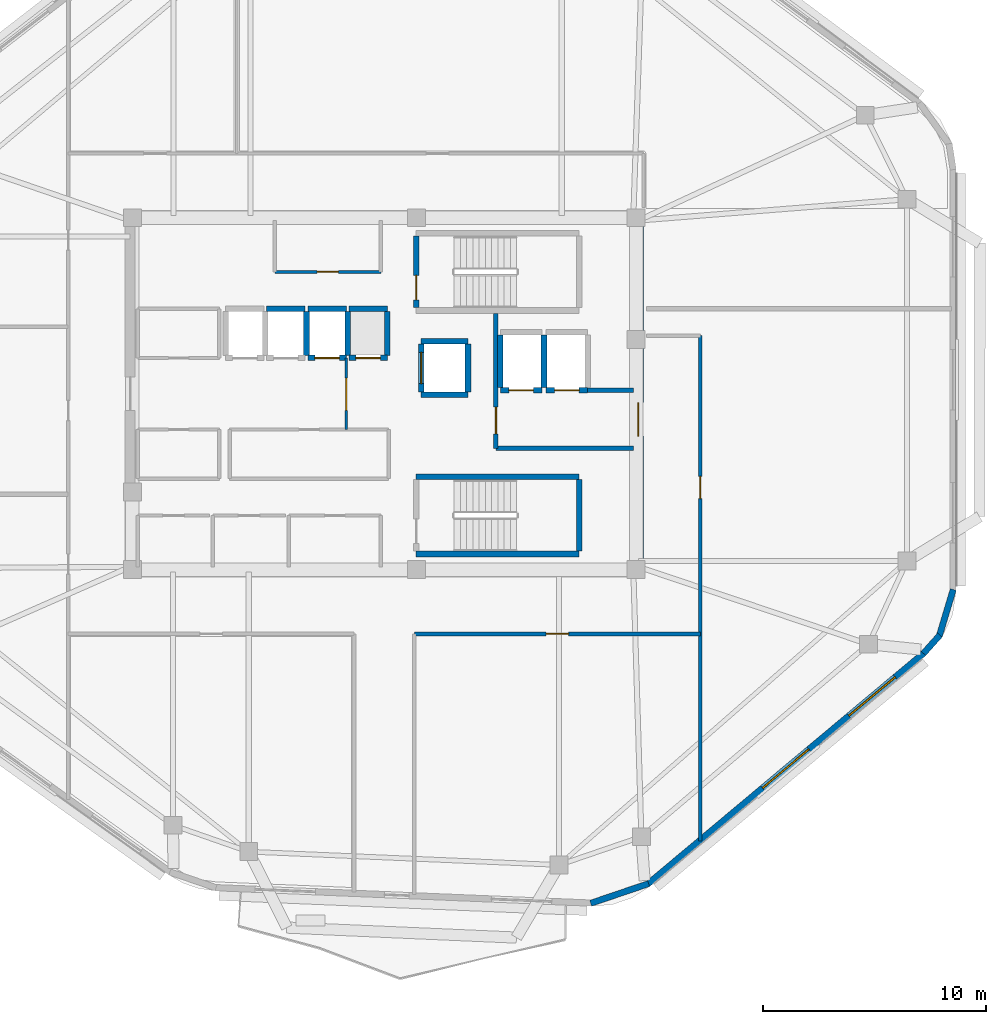
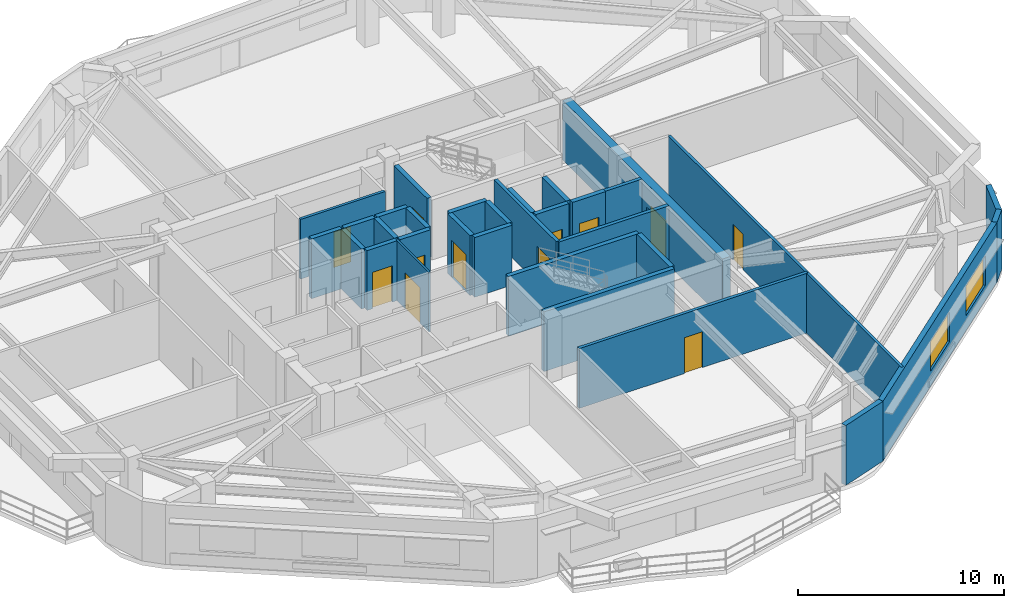
# One storey, part 4 of 10: 32 walls, 12 doors, 2 windows, 14 openings.
"""IFC4 building model written with IfcOpenShell, lengths in metres."""

from ifc_helpers import new_model, si_unit, direction, frame, frame_2d, origin, place, context, subcontext, project, spatial, rectangle, extrude, material, layer, layer_set, type_object, element, fill, save


model = new_model("IFC4")

# Units and contexts
model_context = context("Model", 3, precision=1e-05, world=origin(), true_north=direction((0.0, 1.0)))
body_context = subcontext(model_context, "Body", "Model", "MODEL_VIEW")
ifc_project = project(units=[si_unit("LENGTHUNIT", "METRE"), si_unit("AREAUNIT", "SQUARE_METRE"), si_unit("VOLUMEUNIT", "CUBIC_METRE"), si_unit("PLANEANGLEUNIT", "RADIAN"), si_unit("MASSUNIT", "GRAM", prefix="KILO")], contexts=[model_context])

# Site, building, storey
site_placement = place(None, origin())
site = spatial("IfcSite", under=ifc_project, at=site_placement, CompositionType="ELEMENT")
building_placement = place(site_placement, origin())
building = spatial("IfcBuilding", under=site, at=building_placement, Name="Zulverin Broadcast Headquarters", CompositionType="ELEMENT")
storey_placement = place(building_placement, frame((0.0, 0.0, 282.0)))
storey = spatial("IfcBuildingStorey", under=building, at=storey_placement, Name="L72", CompositionType="ELEMENT", Elevation=282.0)

# Wall, opening, door
ifc_material_1 = material(Name="Concrete C50/60", Category="concrete")
ifc_layer_1 = layer(ifc_material_1, 0.449951171875, Name="Concrete C50/60", Category="concrete")
ifc_layer_set_1 = layer_set([ifc_layer_1], Name="Concrete C50/60")
wall_type_1 = type_object("IfcWallType", Name="WL-CORE-450", PredefinedType="SHEAR", material=ifc_layer_set_1)
wall_1_placement = place(storey_placement, frame((48.375, 17.449951171875, 0.0), z_axis=(0.0, 0.0, 1.0), x_axis=(0.0, 1.0, 0.0)))
wall_1 = element("IfcWall", 1, at=wall_1_placement, inside=storey, type_object=wall_type_1, Name="L72 Core East Shear Wall", PredefinedType="SHEAR", context=body_context, shape_type="SweptSolid", body=[
    extrude(rectangle(XDim=15.5, YDim=0.449951171875, at=frame_2d((7.75, 0.0))), origin(), (0.0, 0.0, 1.0), 3.5400390625),
])
opening_1_placement = place(wall_1_placement, frame((5.85009765625, 0.0, 0.0)))
opening_1 = element("IfcOpeningElement", 2, at=opening_1_placement, cuts=wall_1, Name="Opening D-L72-CE1", PredefinedType="OPENING", context=body_context, shape_type="SweptSolid", body=[
    extrude(rectangle(XDim=1.5, YDim=2.14990234375, at=frame_2d((0.75, 1.074951171875))), frame((0.0, 0.23486328125, 0.0), z_axis=(0.0, -1.0, 0.0), x_axis=(1.0, 0.0, 0.0)), (0.0, 0.0, 1.0), 0.469970703125),
])
ifc_material_2 = material(Name="Fire-rated glazed steel frame", Category="steel")
door_type_1 = type_object("IfcDoorType", Name="DR-COR-1500", OperationType="DOUBLE_DOOR_SINGLE_SWING", PredefinedType="DOOR", material=ifc_material_2)
door_1_placement = place(opening_1_placement, origin())
door_1 = element("IfcDoor", 3, at=door_1_placement, inside=storey, type_object=door_type_1, Name="L72 Firefighting Lobby East Corridor Door", OperationType="DOUBLE_DOOR_SINGLE_SWING", OverallHeight=2.14990234375, OverallWidth=1.5, PredefinedType="DOOR", context=body_context, shape_type="SweptSolid", body=[
    extrude(rectangle(XDim=1.5, YDim=2.14990234375, at=frame_2d((0.75, 1.074951171875))), frame((0.0, 0.02490234375, 0.0), z_axis=(0.0, -1.0, 0.0), x_axis=(1.0, 0.0, 0.0)), (0.0, 0.0, 1.0), 0.050048828125),
])
fill(opening_1, door_1)

# Wall, openings, windows
ifc_material_3 = material(Name="Insulated pale-metal clad concrete spandrel C40/50", Category="concrete")
ifc_layer_2 = layer(ifc_material_3, 0.280029296875, Name="Insulated pale-metal clad concrete spandrel C40/50", Category="concrete")
ifc_layer_set_2 = layer_set([ifc_layer_2], Name="Insulated pale-metal clad concrete spandrel C40/50")
wall_type_2 = type_object("IfcWallType", Name="WL-EXT-280", PredefinedType="STANDARD", material=ifc_layer_set_2)
wall_2_placement = place(storey_placement, frame((48.788818359375, 3.249755859375, 0.0), z_axis=(0.0, 0.0, 1.0), x_axis=(0.767032672101, 0.641608042288, 0.0)))
wall_2 = element("IfcWall", 4, at=wall_2_placement, inside=storey, type_object=wall_type_2, Name="L72 Pale-Metal Clad Spandrel Wall 2", PredefinedType="STANDARD", context=body_context, shape_type="SweptSolid", body=[
    extrude(rectangle(XDim=16.11328125, YDim=0.280029296875, at=frame_2d((8.056640625, 0.0))), origin(), (0.0, 0.0, 1.0), 3.5400390625),
])
opening_2_placement = place(wall_2_placement, frame((6.706787109375, 0.0, 0.89990234375)))
opening_2 = element("IfcOpeningElement", 5, at=opening_2_placement, cuts=wall_2, Name="Opening W-L72-E21", PredefinedType="OPENING", context=body_context, shape_type="SweptSolid", body=[
    extrude(rectangle(XDim=2.699951171875, YDim=1.75, at=frame_2d((1.35009765625, 0.875))), frame((0.0, 0.14990234375, 0.0), z_axis=(0.0, -1.0, 0.0), x_axis=(1.0, 0.0, 0.0)), (0.0, 0.0, 1.0), 0.300048828125),
])
opening_3_placement = place(wall_2_placement, frame((11.744384765625, 0.0, 0.89990234375)))
opening_3 = element("IfcOpeningElement", 6, at=opening_3_placement, cuts=wall_2, Name="Opening W-L72-E22", PredefinedType="OPENING", context=body_context, shape_type="SweptSolid", body=[
    extrude(rectangle(XDim=2.699951171875, YDim=1.75, at=frame_2d((1.35009765625, 0.875))), frame((0.0, 0.14990234375, 0.0), z_axis=(0.0, -1.0, 0.0), x_axis=(1.0, 0.0, 0.0)), (0.0, 0.0, 1.0), 0.300048828125),
])
ifc_material_4 = material(Name="Pale anodized aluminium frame with solar-control low-E double glazing", Category="aluminium")
window_type = type_object("IfcWindowType", Name="WIN-TWR-2700", PartitioningType="SINGLE_PANEL", PredefinedType="WINDOW", material=ifc_material_4)
window_1_placement = place(opening_2_placement, origin())
window_1 = element("IfcWindow", 7, at=window_1_placement, inside=storey, type_object=window_type, Name="L72 Ribbon Glazing Window 2 1", OverallHeight=1.75, OverallWidth=2.699951171875, PartitioningType="SINGLE_PANEL", PredefinedType="WINDOW", context=body_context, shape_type="SweptSolid", body=[
    extrude(rectangle(XDim=2.699951171875, YDim=1.75, at=frame_2d((1.35009765625, 0.875))), frame((0.0, 0.030029296875, 0.0), z_axis=(0.0, -1.0, 0.0), x_axis=(1.0, 0.0, 0.0)), (0.0, 0.0, 1.0), 0.06005859375),
])
fill(opening_2, window_1)
window_2_placement = place(opening_3_placement, origin())
window_2 = element("IfcWindow", 8, at=window_2_placement, inside=storey, type_object=window_type, Name="L72 Ribbon Glazing Window 2 2", OverallHeight=1.75, OverallWidth=2.699951171875, PartitioningType="SINGLE_PANEL", PredefinedType="WINDOW", context=body_context, shape_type="SweptSolid", body=[
    extrude(rectangle(XDim=2.699951171875, YDim=1.75, at=frame_2d((1.35009765625, 0.875))), frame((0.0, 0.030029296875, 0.0), z_axis=(0.0, -1.0, 0.0), x_axis=(1.0, 0.0, 0.0)), (0.0, 0.0, 1.0), 0.06005859375),
])
fill(opening_3, window_2)

# Walls
wall_3_placement = place(storey_placement, frame((46.239501953125, 2.392822265625, 0.0), z_axis=(0.0, 0.0, 1.0), x_axis=(0.946759165502, 0.321942669643, 0.0)))
element("IfcWall", 9, at=wall_3_placement, inside=storey, type_object=wall_type_2, Name="L72 Wind-Shaped Corner Spandrel Wall 1-1", PredefinedType="STANDARD", context=body_context, shape_type="SweptSolid", body=[
    extrude(rectangle(XDim=2.73974609375, YDim=0.280029296875, at=frame_2d((1.369873046875, 0.0))), origin(), (0.0, 0.0, 1.0), 3.5400390625),
])
wall_4_placement = place(storey_placement, frame((61.133544921875, 13.573974609375, 0.0), z_axis=(0.0, 0.0, 1.0), x_axis=(0.665804679247, 0.74612608123, 0.0)))
element("IfcWall", 10, at=wall_4_placement, inside=storey, type_object=wall_type_2, Name="L72 Wind-Shaped Corner Spandrel Wall 2-1", PredefinedType="STANDARD", context=body_context, shape_type="SweptSolid", body=[
    extrude(rectangle(XDim=1.103271484375, YDim=0.280029296875, at=frame_2d((0.5517578125, 0.0))), origin(), (0.0, 0.0, 1.0), 3.5400390625),
])
wall_5_placement = place(storey_placement, frame((61.838623046875, 14.34423828125, 0.0), z_axis=(0.0, 0.0, 1.0), x_axis=(0.287235049694, 0.957860128739, 0.0)))
element("IfcWall", 11, at=wall_5_placement, inside=storey, type_object=wall_type_2, Name="L72 Wind-Shaped Corner Spandrel Wall 2-2", PredefinedType="STANDARD", context=body_context, shape_type="SweptSolid", body=[
    extrude(rectangle(XDim=2.18359375, YDim=0.280029296875, at=frame_2d((1.091796875, 0.0))), origin(), (0.0, 0.0, 1.0), 3.5400390625),
])

# Wall, opening, door
ifc_material_5 = material(Name="Concrete C40/50", Category="concrete")
ifc_layer_3 = layer(ifc_material_5, 0.199951171875, Name="Concrete C40/50", Category="concrete")
ifc_layer_set_3 = layer_set([ifc_layer_3], Name="Concrete C40/50")
wall_type_3 = type_object("IfcWallType", Name="WL-FFL-200", PredefinedType="SOLIDWALL", material=ifc_layer_set_3)
wall_6_placement = place(storey_placement, frame((42.0, 22.75, 0.0), z_axis=(0.0, 0.0, 1.0), x_axis=(0.0, 1.0, 0.0)))
wall_6 = element("IfcWall", 12, at=wall_6_placement, inside=storey, type_object=wall_type_3, Name="L72 Firefighting Lift Lobby West Wall", PredefinedType="SOLIDWALL", context=body_context, shape_type="SweptSolid", body=[
    extrude(rectangle(XDim=6.050048828125, YDim=0.199951171875, at=frame_2d((3.02490234375, 0.0))), origin(), (0.0, 0.0, 1.0), 3.5400390625),
])
opening_4_placement = place(wall_6_placement, frame((0.64990234375, 0.0, 0.0)))
opening_4 = element("IfcOpeningElement", 13, at=opening_4_placement, cuts=wall_6, Name="Opening D-L72-FFLW", PredefinedType="OPENING", context=body_context, shape_type="SweptSolid", body=[
    extrude(rectangle(XDim=1.199951171875, YDim=2.14990234375, at=frame_2d((0.60009765625, 1.074951171875))), frame((0.0, 0.10986328125, 0.0), z_axis=(0.0, -1.0, 0.0), x_axis=(1.0, 0.0, 0.0)), (0.0, 0.0, 1.0), 0.219970703125),
])
ifc_material_6 = material(Name="Fire-rated steel leaf and frame", Category="steel")
door_type_2 = type_object("IfcDoorType", Name="DR-FFL-1200", OperationType="SINGLE_SWING_RIGHT", PredefinedType="DOOR", material=ifc_material_6)
door_2_placement = place(opening_4_placement, origin())
door_2 = element("IfcDoor", 14, at=door_2_placement, inside=storey, type_object=door_type_2, Name="L72 Firefighting Lift Lobby Door", OperationType="SINGLE_SWING_RIGHT", OverallHeight=2.14990234375, OverallWidth=1.199951171875, PredefinedType="DOOR", context=body_context, shape_type="SweptSolid", body=[
    extrude(rectangle(XDim=1.199951171875, YDim=2.14990234375, at=frame_2d((0.60009765625, 1.074951171875))), frame((0.0, 0.02490234375, 0.0), z_axis=(0.0, -1.0, 0.0), x_axis=(1.0, 0.0, 0.0)), (0.0, 0.0, 1.0), 0.050048828125),
])
fill(opening_4, door_2)

# Walls
wall_7_placement = place(storey_placement, frame((42.0, 22.75, 0.0), z_axis=(0.0, 0.0, 1.0), x_axis=(1.0, 0.0, 0.0)))
element("IfcWall", 15, at=wall_7_placement, inside=storey, type_object=wall_type_3, Name="L72 Firefighting Lift Lobby South Wall", PredefinedType="SOLIDWALL", context=body_context, shape_type="SweptSolid", body=[
    extrude(rectangle(XDim=6.14990234375, YDim=0.199951171875, at=frame_2d((3.074951171875, 0.0))), origin(), (0.0, 0.0, 1.0), 3.5400390625),
])
wall_8_placement = place(storey_placement, frame((46.10009765625, 25.35009765625, 0.0), z_axis=(0.0, 0.0, 1.0), x_axis=(1.0, 0.0, 0.0)))
element("IfcWall", 16, at=wall_8_placement, inside=storey, type_object=wall_type_3, Name="L72 Firefighting Lift Lobby North Wall", PredefinedType="SOLIDWALL", context=body_context, shape_type="SweptSolid", body=[
    extrude(rectangle(XDim=2.0498046875, YDim=0.199951171875, at=frame_2d((1.02490234375, 0.0))), origin(), (0.0, 0.0, 1.0), 3.5400390625),
])

# Wall, opening, door
ifc_material_7 = material(Name="Fire-rated acoustic laminated glass screen", Category="glass")
ifc_layer_4 = layer(ifc_material_7, 0.10009765625, Name="Fire-rated acoustic laminated glass screen", Category="glass")
ifc_layer_set_4 = layer_set([ifc_layer_4], Name="Fire-rated acoustic laminated glass screen")
wall_type_4 = type_object("IfcWallType", Name="WL-GLAZ-100", PredefinedType="PARTITIONING", material=ifc_layer_set_4)
wall_9_placement = place(storey_placement, frame((35.300048828125, 23.60009765625, 0.0), z_axis=(0.0, 0.0, 1.0), x_axis=(0.0, 1.0, 0.0)))
wall_9 = element("IfcWall", 17, at=wall_9_placement, inside=storey, type_object=wall_type_4, Name="L72 Central Core Smoke Vestibule Screen", PredefinedType="PARTITIONING", context=body_context, shape_type="SweptSolid", body=[
    extrude(rectangle(XDim=3.199951171875, YDim=0.10009765625, at=frame_2d((1.60009765625, 0.0))), origin(), (0.0, 0.0, 1.0), 3.5400390625),
])
opening_5_placement = place(wall_9_placement, frame((0.85009765625, 0.0, 0.0)))
opening_5 = element("IfcOpeningElement", 18, at=opening_5_placement, cuts=wall_9, Name="Opening D-L72-CL2", PredefinedType="OPENING", context=body_context, shape_type="SweptSolid", body=[
    extrude(rectangle(XDim=1.449951171875, YDim=2.1201171875, at=frame_2d((0.72509765625, 1.06005859375))), frame((0.0, 0.06005859375, 0.0), z_axis=(0.0, -1.0, 0.0), x_axis=(1.0, 0.0, 0.0)), (0.0, 0.0, 1.0), 0.1201171875),
])
ifc_material_8 = material(Name="Fire-rated acoustic glazed double leaf", Category="glass")
door_type_3 = type_object("IfcDoorType", Name="DR-GLZ-1450", OperationType="DOUBLE_DOOR_SINGLE_SWING", PredefinedType="DOOR", material=ifc_material_8)
door_3_placement = place(opening_5_placement, origin())
door_3 = element("IfcDoor", 19, at=door_3_placement, inside=storey, type_object=door_type_3, Name="L72 Central Core Smoke Vestibule Door", OperationType="DOUBLE_DOOR_SINGLE_SWING", OverallHeight=2.1201171875, OverallWidth=1.449951171875, PredefinedType="DOOR", context=body_context, shape_type="SweptSolid", body=[
    extrude(rectangle(XDim=1.449951171875, YDim=2.1201171875, at=frame_2d((0.72509765625, 1.06005859375))), frame((0.0, 0.02490234375, 0.0), z_axis=(0.0, -1.0, 0.0), x_axis=(1.0, 0.0, 0.0)), (0.0, 0.0, 1.0), 0.050048828125),
])
fill(opening_5, door_3)

ifc_material_9 = material(Name="Fire-rated gypsum stud partition", Category="gypsum")
ifc_layer_5 = layer(ifc_material_9, 0.14990234375, Name="Fire-rated gypsum stud partition", Category="gypsum")
ifc_layer_set_5 = layer_set([ifc_layer_5], Name="Fire-rated gypsum stud partition")
wall_type_5 = type_object("IfcWallType", Name="WL-PART-150", PredefinedType="PARTITIONING", material=ifc_layer_set_5)
wall_10_placement = place(storey_placement, frame((32.10009765625, 30.64990234375, 0.0), z_axis=(0.0, 0.0, 1.0), x_axis=(1.0, 0.0, 0.0)))
wall_10 = element("IfcWall", 20, at=wall_10_placement, inside=storey, type_object=wall_type_5, Name="L72 Core Accessible WC & Electrical Riser Front Wall", PredefinedType="PARTITIONING", context=body_context, shape_type="SweptSolid", body=[
    extrude(rectangle(XDim=4.75, YDim=0.14990234375, at=frame_2d((2.375, 0.0))), origin(), (0.0, 0.0, 1.0), 3.5400390625),
])
opening_6_placement = place(wall_10_placement, frame((1.89990234375, 0.0, 0.0)))
opening_6 = element("IfcOpeningElement", 21, at=opening_6_placement, cuts=wall_10, Name="Opening D-L72-NC1", PredefinedType="OPENING", context=body_context, shape_type="SweptSolid", body=[
    extrude(rectangle(XDim=0.949951171875, YDim=2.10009765625, at=frame_2d((0.47509765625, 1.050048828125))), frame((0.0, 0.0849609375, 0.0), z_axis=(0.0, -1.0, 0.0), x_axis=(1.0, 0.0, 0.0)), (0.0, 0.0, 1.0), 0.169921875),
])
ifc_material_10 = material(Name="Fire-rated moisture-resistant laminate leaf", Category="wood")
door_type_4 = type_object("IfcDoorType", Name="DR-WC-950", OperationType="SINGLE_SWING_LEFT", PredefinedType="DOOR", material=ifc_material_10)
door_4_placement = place(opening_6_placement, origin())
door_4 = element("IfcDoor", 22, at=door_4_placement, inside=storey, type_object=door_type_4, Name="L72 Accessible WC & Electrical Riser Door", OperationType="SINGLE_SWING_LEFT", OverallHeight=2.10009765625, OverallWidth=0.949951171875, PredefinedType="DOOR", context=body_context, shape_type="SweptSolid", body=[
    extrude(rectangle(XDim=0.949951171875, YDim=2.10009765625, at=frame_2d((0.47509765625, 1.050048828125))), frame((0.0, 0.02490234375, 0.0), z_axis=(0.0, -1.0, 0.0), x_axis=(1.0, 0.0, 0.0)), (0.0, 0.0, 1.0), 0.050048828125),
])
fill(opening_6, door_4)

wall_11_placement = place(storey_placement, frame((51.14990234375, 5.182373046875, 0.0), z_axis=(0.0, 0.0, 1.0), x_axis=(0.0, 1.0, 0.0)))
wall_11 = element("IfcWall", 23, at=wall_11_placement, inside=storey, type_object=wall_type_5, Name="L72 Gallery Partition Wall CG-01", PredefinedType="PARTITIONING", context=body_context, shape_type="SweptSolid", body=[
    extrude(rectangle(XDim=22.61767578125, YDim=0.14990234375, at=frame_2d((11.308837890625, 0.0))), origin(), (0.0, 0.0, 1.0), 3.5400390625),
])
opening_7_placement = place(wall_11_placement, frame((15.322509765625, 0.0, 0.0)))
opening_7 = element("IfcOpeningElement", 24, at=opening_7_placement, cuts=wall_11, Name="Opening D-L72-08", PredefinedType="OPENING", context=body_context, shape_type="SweptSolid", body=[
    extrude(rectangle(XDim=1.0, YDim=2.1201171875, at=frame_2d((0.5, 1.06005859375))), frame((0.0, 0.0849609375, 0.0), z_axis=(0.0, -1.0, 0.0), x_axis=(1.0, 0.0, 0.0)), (0.0, 0.0, 1.0), 0.169921875),
])
ifc_material_11 = material(Name="Hardwood veneer acoustic leaf", Category="wood")
door_type_5 = type_object("IfcDoorType", Name="DR-OFF-1000", OperationType="SINGLE_SWING_LEFT", PredefinedType="DOOR", material=ifc_material_11)
door_5_placement = place(opening_7_placement, origin())
door_5 = element("IfcDoor", 25, at=door_5_placement, inside=storey, type_object=door_type_5, Name="L72 Executive Producer Office Door", OperationType="SINGLE_SWING_RIGHT", OverallHeight=2.1201171875, OverallWidth=1.0, PredefinedType="DOOR", context=body_context, shape_type="SweptSolid", body=[
    extrude(rectangle(XDim=1.0, YDim=2.1201171875, at=frame_2d((0.5, 1.06005859375))), frame((0.0, 0.02490234375, 0.0), z_axis=(0.0, -1.0, 0.0), x_axis=(1.0, 0.0, 0.0)), (0.0, 0.0, 1.0), 0.050048828125),
])
fill(opening_7, door_5)

ifc_material_12 = material(Name="Fire-rated acoustic stud wall", Category="gypsum")
ifc_layer_6 = layer(ifc_material_12, 0.175048828125, Name="Fire-rated acoustic stud wall", Category="gypsum")
ifc_layer_set_6 = layer_set([ifc_layer_6], Name="Fire-rated acoustic stud wall")
wall_type_6 = type_object("IfcWallType", Name="WL-PART-175", PredefinedType="PARTITIONING", material=ifc_layer_set_6)
wall_12_placement = place(storey_placement, frame((38.35009765625, 14.449951171875, 0.0), z_axis=(0.0, 0.0, 1.0), x_axis=(1.0, 0.0, 0.0)))
wall_12 = element("IfcWall", 26, at=wall_12_placement, inside=storey, type_object=wall_type_6, Name="L72 Gallery Partition Wall CG-08", PredefinedType="PARTITIONING", context=body_context, shape_type="SweptSolid", body=[
    extrude(rectangle(XDim=12.7998046875, YDim=0.175048828125, at=frame_2d((6.39990234375, 0.0))), origin(), (0.0, 0.0, 1.0), 3.5400390625),
])
opening_8_placement = place(wall_12_placement, frame((5.89990234375, 0.0, 0.0)))
opening_8 = element("IfcOpeningElement", 27, at=opening_8_placement, cuts=wall_12, Name="Opening D-L72-04", PredefinedType="OPENING", context=body_context, shape_type="SweptSolid", body=[
    extrude(rectangle(XDim=1.0, YDim=2.1201171875, at=frame_2d((0.5, 1.06005859375))), frame((0.0, 0.097412109375, 0.0), z_axis=(0.0, -1.0, 0.0), x_axis=(1.0, 0.0, 0.0)), (0.0, 0.0, 1.0), 0.195068359375),
])
door_6_placement = place(opening_8_placement, origin())
door_6 = element("IfcDoor", 28, at=door_6_placement, inside=storey, type_object=door_type_5, Name="L72 Planning Office Door", OperationType="SINGLE_SWING_RIGHT", OverallHeight=2.1201171875, OverallWidth=1.0, PredefinedType="DOOR", context=body_context, shape_type="SweptSolid", body=[
    extrude(rectangle(XDim=1.0, YDim=2.1201171875, at=frame_2d((0.5, 1.06005859375))), frame((0.0, 0.02490234375, 0.0), z_axis=(0.0, -1.0, 0.0), x_axis=(1.0, 0.0, 0.0)), (0.0, 0.0, 1.0), 0.050048828125),
])
fill(opening_8, door_6)

ifc_layer_7 = layer(ifc_material_1, 0.25, Name="Concrete C50/60", Category="concrete")
ifc_layer_set_7 = layer_set([ifc_layer_7], Name="Concrete C50/60")
wall_type_7 = type_object("IfcWallType", Name="WL-SHAFT-250", PredefinedType="SHEAR", material=ifc_layer_set_7)
wall_13_placement = place(storey_placement, frame((38.425048828125, 29.050048828125, 0.0), z_axis=(0.0, 0.0, 1.0), x_axis=(0.0, 1.0, 0.0)))
wall_13 = element("IfcWall", 29, at=wall_13_placement, inside=storey, type_object=wall_type_7, Name="L72 ST-1 Enclosure Wall W", PredefinedType="SHEAR", context=body_context, shape_type="SweptSolid", body=[
    extrude(rectangle(XDim=3.199951171875, YDim=0.25, at=frame_2d((1.60009765625, 0.0))), origin(), (0.0, 0.0, 1.0), 3.5400390625),
])
opening_9_placement = place(wall_13_placement, frame((0.35009765625, 0.0, 0.0)))
opening_9 = element("IfcOpeningElement", 30, at=opening_9_placement, cuts=wall_13, Name="Opening D-L72-ST-1", PredefinedType="OPENING", context=body_context, shape_type="SweptSolid", body=[
    extrude(rectangle(XDim=1.10009765625, YDim=2.14990234375, at=frame_2d((0.550048828125, 1.074951171875))), frame((0.0, 0.135009765625, 0.0), z_axis=(0.0, -1.0, 0.0), x_axis=(1.0, 0.0, 0.0)), (0.0, 0.0, 1.0), 0.27001953125),
])
door_type_6 = type_object("IfcDoorType", Name="DR-STAIR-1100", OperationType="SINGLE_SWING_LEFT", PredefinedType="DOOR", material=ifc_material_6)
door_7_placement = place(opening_9_placement, origin())
door_7 = element("IfcDoor", 31, at=door_7_placement, inside=storey, type_object=door_type_6, Name="L72 Exit Stair ST-1 Fire Door", OperationType="SINGLE_SWING_LEFT", OverallHeight=2.14990234375, OverallWidth=1.10009765625, PredefinedType="DOOR", context=body_context, shape_type="SweptSolid", body=[
    extrude(rectangle(XDim=1.10009765625, YDim=2.14990234375, at=frame_2d((0.550048828125, 1.074951171875))), frame((0.0, 0.02490234375, 0.0), z_axis=(0.0, -1.0, 0.0), x_axis=(1.0, 0.0, 0.0)), (0.0, 0.0, 1.0), 0.050048828125),
])
fill(opening_9, door_7)

# Walls
for number, where, z_axis, x_axis, name in (
    (32, (38.425048828125, 18.02490234375, 0.0), (0.0, 0.0, 1.0), (1.0, 0.0, 0.0), "L72 ST-2 Enclosure Wall S"),
    (33, (38.425048828125, 21.47509765625, 0.0), (0.0, 0.0, 1.0), (1.0, 0.0, 0.0), "L72 ST-2 Enclosure Wall N"),
):
    element("IfcWall", number, at=place(storey_placement, frame(where, z_axis=z_axis, x_axis=x_axis)), inside=storey, type_object=wall_type_7, Name=name, PredefinedType="SHEAR", context=body_context, shape_type="SweptSolid", body=[
        extrude(rectangle(XDim=7.300048828125, YDim=0.25, at=frame_2d((3.64990234375, 0.0))), origin(), (0.0, 0.0, 1.0), 3.5400390625),
    ])
wall_14_placement = place(storey_placement, frame((45.72509765625, 18.14990234375, 0.0), z_axis=(0.0, 0.0, 1.0), x_axis=(0.0, 1.0, 0.0)))
element("IfcWall", 34, at=wall_14_placement, inside=storey, type_object=wall_type_7, Name="L72 ST-2 Enclosure Wall E", PredefinedType="SHEAR", context=body_context, shape_type="SweptSolid", body=[
    extrude(rectangle(XDim=3.2001953125, YDim=0.25, at=frame_2d((1.60009765625, 0.0))), origin(), (0.0, 0.0, 1.0), 3.5400390625),
])
wall_15_placement = place(storey_placement, frame((31.739990234375, 29.0, 0.0), z_axis=(0.0, 0.0, 1.0), x_axis=(1.0, 0.0, 0.0)))
element("IfcWall", 35, at=wall_15_placement, inside=storey, type_object=wall_type_7, Name="L72 Lift PL-H2 Shaft Wall N", PredefinedType="SHEAR", context=body_context, shape_type="SweptSolid", body=[
    extrude(rectangle(XDim=1.719970703125, YDim=0.25, at=frame_2d((0.85986328125, 0.0))), origin(), (0.0, 0.0, 1.0), 3.5400390625),
])
wall_16_placement = place(storey_placement, frame((33.52001953125, 26.919921875, 0.0), z_axis=(0.0, 0.0, 1.0), x_axis=(0.0, 1.0, 0.0)))
element("IfcWall", 36, at=wall_16_placement, inside=storey, type_object=wall_type_7, Name="L72 Lift PL-H2 Shaft Wall E", PredefinedType="SHEAR", context=body_context, shape_type="SweptSolid", body=[
    extrude(rectangle(XDim=1.9599609375, YDim=0.25, at=frame_2d((0.97998046875, 0.0))), origin(), (0.0, 0.0, 1.0), 3.5400390625),
])

# Wall, opening, door
wall_17_placement = place(storey_placement, frame((33.580078125, 26.800048828125, 0.0), z_axis=(0.0, 0.0, 1.0), x_axis=(1.0, 0.0, 0.0)))
wall_17 = element("IfcWall", 37, at=wall_17_placement, inside=storey, type_object=wall_type_7, Name="L72 Lift PL-H3 Shaft Wall S", PredefinedType="SHEAR", context=body_context, shape_type="SweptSolid", body=[
    extrude(rectangle(XDim=1.719970703125, YDim=0.25, at=frame_2d((0.85986328125, 0.0))), origin(), (0.0, 0.0, 1.0), 3.5400390625),
])
opening_10_placement = place(wall_17_placement, frame((0.31005859375, 0.0, 0.0)))
opening_10 = element("IfcOpeningElement", 38, at=opening_10_placement, cuts=wall_17, Name="Opening LD-PL-H3-L72", PredefinedType="OPENING", context=body_context, shape_type="SweptSolid", body=[
    extrude(rectangle(XDim=1.10009765625, YDim=2.14990234375, at=frame_2d((0.550048828125, 1.074951171875))), frame((0.0, 0.135009765625, 0.0), z_axis=(0.0, -1.0, 0.0), x_axis=(1.0, 0.0, 0.0)), (0.0, 0.0, 1.0), 0.27001953125),
])
ifc_material_13 = material(Name="Brushed stainless steel landing", Category="steel")
door_type_7 = type_object("IfcDoorType", Name="LD-PASS-1100", OperationType="DOUBLE_DOOR_SLIDING", PredefinedType="DOOR", material=ifc_material_13)
door_8_placement = place(opening_10_placement, origin())
door_8 = element("IfcDoor", 39, at=door_8_placement, inside=storey, type_object=door_type_7, Name="L72 Lift PL-H3 Sliding Landing Door", OperationType="DOUBLE_DOOR_SLIDING", OverallHeight=2.14990234375, OverallWidth=1.10009765625, PredefinedType="DOOR", context=body_context, shape_type="SweptSolid", body=[
    extrude(rectangle(XDim=1.10009765625, YDim=2.14990234375, at=frame_2d((0.550048828125, 1.074951171875))), frame((0.0, 0.02490234375, 0.0), z_axis=(0.0, -1.0, 0.0), x_axis=(1.0, 0.0, 0.0)), (0.0, 0.0, 1.0), 0.050048828125),
])
fill(opening_10, door_8)

# Walls
wall_18_placement = place(storey_placement, frame((33.580078125, 29.0, 0.0), z_axis=(0.0, 0.0, 1.0), x_axis=(1.0, 0.0, 0.0)))
element("IfcWall", 40, at=wall_18_placement, inside=storey, type_object=wall_type_7, Name="L72 Lift PL-H3 Shaft Wall N", PredefinedType="SHEAR", context=body_context, shape_type="SweptSolid", body=[
    extrude(rectangle(XDim=1.719970703125, YDim=0.25, at=frame_2d((0.85986328125, 0.0))), origin(), (0.0, 0.0, 1.0), 3.5400390625),
])
wall_19_placement = place(storey_placement, frame((35.360107421875, 26.919921875, 0.0), z_axis=(0.0, 0.0, 1.0), x_axis=(0.0, 1.0, 0.0)))
element("IfcWall", 41, at=wall_19_placement, inside=storey, type_object=wall_type_7, Name="L72 Lift PL-H3 Shaft Wall E", PredefinedType="SHEAR", context=body_context, shape_type="SweptSolid", body=[
    extrude(rectangle(XDim=1.9599609375, YDim=0.25, at=frame_2d((0.97998046875, 0.0))), origin(), (0.0, 0.0, 1.0), 3.5400390625),
])

# Wall, opening, door
wall_20_placement = place(storey_placement, frame((35.419921875, 26.800048828125, 0.0), z_axis=(0.0, 0.0, 1.0), x_axis=(1.0, 0.0, 0.0)))
wall_20 = element("IfcWall", 42, at=wall_20_placement, inside=storey, type_object=wall_type_7, Name="L72 Lift PL-H4 Shaft Wall S", PredefinedType="SHEAR", context=body_context, shape_type="SweptSolid", body=[
    extrude(rectangle(XDim=1.719970703125, YDim=0.25, at=frame_2d((0.85986328125, 0.0))), origin(), (0.0, 0.0, 1.0), 3.5400390625),
])
opening_11_placement = place(wall_20_placement, frame((0.31005859375, 0.0, 0.0)))
opening_11 = element("IfcOpeningElement", 43, at=opening_11_placement, cuts=wall_20, Name="Opening LD-PL-H4-L72", PredefinedType="OPENING", context=body_context, shape_type="SweptSolid", body=[
    extrude(rectangle(XDim=1.10009765625, YDim=2.14990234375, at=frame_2d((0.550048828125, 1.074951171875))), frame((0.0, 0.135009765625, 0.0), z_axis=(0.0, -1.0, 0.0), x_axis=(1.0, 0.0, 0.0)), (0.0, 0.0, 1.0), 0.27001953125),
])
door_9_placement = place(opening_11_placement, origin())
door_9 = element("IfcDoor", 44, at=door_9_placement, inside=storey, type_object=door_type_7, Name="L72 Lift PL-H4 Sliding Landing Door", OperationType="DOUBLE_DOOR_SLIDING", OverallHeight=2.14990234375, OverallWidth=1.10009765625, PredefinedType="DOOR", context=body_context, shape_type="SweptSolid", body=[
    extrude(rectangle(XDim=1.10009765625, YDim=2.14990234375, at=frame_2d((0.550048828125, 1.074951171875))), frame((0.0, 0.02490234375, 0.0), z_axis=(0.0, -1.0, 0.0), x_axis=(1.0, 0.0, 0.0)), (0.0, 0.0, 1.0), 0.050048828125),
])
fill(opening_11, door_9)

# Walls
wall_21_placement = place(storey_placement, frame((35.419921875, 29.0, 0.0), z_axis=(0.0, 0.0, 1.0), x_axis=(1.0, 0.0, 0.0)))
element("IfcWall", 45, at=wall_21_placement, inside=storey, type_object=wall_type_7, Name="L72 Lift PL-H4 Shaft Wall N", PredefinedType="SHEAR", context=body_context, shape_type="SweptSolid", body=[
    extrude(rectangle(XDim=1.719970703125, YDim=0.25, at=frame_2d((0.85986328125, 0.0))), origin(), (0.0, 0.0, 1.0), 3.5400390625),
])
wall_22_placement = place(storey_placement, frame((37.139892578125, 26.919921875, 0.0), z_axis=(0.0, 0.0, 1.0), x_axis=(0.0, 1.0, 0.0)))
element("IfcWall", 46, at=wall_22_placement, inside=storey, type_object=wall_type_7, Name="L72 Lift PL-H4 Shaft Wall E", PredefinedType="SHEAR", context=body_context, shape_type="SweptSolid", body=[
    extrude(rectangle(XDim=1.9599609375, YDim=0.25, at=frame_2d((0.97998046875, 0.0))), origin(), (0.0, 0.0, 1.0), 3.5400390625),
])

# Wall, opening, door
wall_23_placement = place(storey_placement, frame((42.199951171875, 25.35009765625, 0.0), z_axis=(0.0, 0.0, 1.0), x_axis=(1.0, 0.0, 0.0)))
wall_23 = element("IfcWall", 47, at=wall_23_placement, inside=storey, type_object=wall_type_7, Name="L72 Lift FFL-1 Shaft Wall S", PredefinedType="SHEAR", context=body_context, shape_type="SweptSolid", body=[
    extrude(rectangle(XDim=1.85009765625, YDim=0.25, at=frame_2d((0.925048828125, 0.0))), origin(), (0.0, 0.0, 1.0), 3.5400390625),
])
opening_12_placement = place(wall_23_placement, frame((0.375, 0.0, 0.0)))
opening_12 = element("IfcOpeningElement", 48, at=opening_12_placement, cuts=wall_23, Name="Opening LD-FFL-1-L72", PredefinedType="OPENING", context=body_context, shape_type="SweptSolid", body=[
    extrude(rectangle(XDim=1.10009765625, YDim=2.14990234375, at=frame_2d((0.550048828125, 1.074951171875))), frame((0.0, 0.135009765625, 0.0), z_axis=(0.0, -1.0, 0.0), x_axis=(1.0, 0.0, 0.0)), (0.0, 0.0, 1.0), 0.27001953125),
])
ifc_material_14 = material(Name="Fire-rated stainless landing door", Category="steel")
door_type_8 = type_object("IfcDoorType", Name="LD-FFL-1100", OperationType="DOUBLE_DOOR_SLIDING", PredefinedType="DOOR", material=ifc_material_14)
door_10_placement = place(opening_12_placement, origin())
door_10 = element("IfcDoor", 49, at=door_10_placement, inside=storey, type_object=door_type_8, Name="L72 Lift FFL-1 Sliding Landing Door", OperationType="DOUBLE_DOOR_SLIDING", OverallHeight=2.14990234375, OverallWidth=1.10009765625, PredefinedType="DOOR", context=body_context, shape_type="SweptSolid", body=[
    extrude(rectangle(XDim=1.10009765625, YDim=2.14990234375, at=frame_2d((0.550048828125, 1.074951171875))), frame((0.0, 0.02490234375, 0.0), z_axis=(0.0, -1.0, 0.0), x_axis=(1.0, 0.0, 0.0)), (0.0, 0.0, 1.0), 0.050048828125),
])
fill(opening_12, door_10)

# Walls
for number, where, z_axis, x_axis, name in (
    (50, (42.199951171875, 25.469970703125, 0.0), (0.0, 0.0, 1.0), (0.0, 1.0, 0.0), "L72 Lift FFL-1 Shaft Wall W"),
    (51, (44.14990234375, 25.469970703125, 0.0), (0.0, 0.0, 1.0), (0.0, 1.0, 0.0), "L72 Lift FFL-1 Shaft Wall E"),
):
    element("IfcWall", number, at=place(storey_placement, frame(where, z_axis=z_axis, x_axis=x_axis)), inside=storey, type_object=wall_type_7, Name=name, PredefinedType="SHEAR", context=body_context, shape_type="SweptSolid", body=[
        extrude(rectangle(XDim=2.360107421875, YDim=0.25, at=frame_2d((1.18017578125, 0.0))), origin(), (0.0, 0.0, 1.0), 3.5400390625),
    ])

# Wall, opening, door
wall_24_placement = place(storey_placement, frame((44.25, 25.35009765625, 0.0), z_axis=(0.0, 0.0, 1.0), x_axis=(1.0, 0.0, 0.0)))
wall_24 = element("IfcWall", 52, at=wall_24_placement, inside=storey, type_object=wall_type_7, Name="L72 Lift FFL-2 Shaft Wall S", PredefinedType="SHEAR", context=body_context, shape_type="SweptSolid", body=[
    extrude(rectangle(XDim=1.85009765625, YDim=0.25, at=frame_2d((0.925048828125, 0.0))), origin(), (0.0, 0.0, 1.0), 3.5400390625),
])
opening_13_placement = place(wall_24_placement, frame((0.375, 0.0, 0.0)))
opening_13 = element("IfcOpeningElement", 53, at=opening_13_placement, cuts=wall_24, Name="Opening LD-FFL-2-L72", PredefinedType="OPENING", context=body_context, shape_type="SweptSolid", body=[
    extrude(rectangle(XDim=1.10009765625, YDim=2.14990234375, at=frame_2d((0.550048828125, 1.074951171875))), frame((0.0, 0.135009765625, 0.0), z_axis=(0.0, -1.0, 0.0), x_axis=(1.0, 0.0, 0.0)), (0.0, 0.0, 1.0), 0.27001953125),
])
door_11_placement = place(opening_13_placement, origin())
door_11 = element("IfcDoor", 54, at=door_11_placement, inside=storey, type_object=door_type_8, Name="L72 Lift FFL-2 Sliding Landing Door", OperationType="DOUBLE_DOOR_SLIDING", OverallHeight=2.14990234375, OverallWidth=1.10009765625, PredefinedType="DOOR", context=body_context, shape_type="SweptSolid", body=[
    extrude(rectangle(XDim=1.10009765625, YDim=2.14990234375, at=frame_2d((0.550048828125, 1.074951171875))), frame((0.0, 0.02490234375, 0.0), z_axis=(0.0, -1.0, 0.0), x_axis=(1.0, 0.0, 0.0)), (0.0, 0.0, 1.0), 0.050048828125),
])
fill(opening_13, door_11)

# Walls
for number, where, z_axis, x_axis, name in (
    (55, (38.64990234375, 25.14990234375, 0.0), (0.0, 0.0, 1.0), (1.0, 0.0, 0.0), "L72 Lift SVL-1 Shaft Wall S"),
    (56, (38.64990234375, 27.550048828125, 0.0), (0.0, 0.0, 1.0), (1.0, 0.0, 0.0), "L72 Lift SVL-1 Shaft Wall N"),
):
    element("IfcWall", number, at=place(storey_placement, frame(where, z_axis=z_axis, x_axis=x_axis)), inside=storey, type_object=wall_type_7, Name=name, PredefinedType="SHEAR", context=body_context, shape_type="SweptSolid", body=[
        extrude(rectangle(XDim=2.10009765625, YDim=0.25, at=frame_2d((1.050048828125, 0.0))), origin(), (0.0, 0.0, 1.0), 3.5400390625),
    ])

# Wall, opening, door
wall_25_placement = place(storey_placement, frame((38.64990234375, 25.27001953125, 0.0), z_axis=(0.0, 0.0, 1.0), x_axis=(0.0, 1.0, 0.0)))
wall_25 = element("IfcWall", 57, at=wall_25_placement, inside=storey, type_object=wall_type_7, Name="L72 Lift SVL-1 Shaft Wall W", PredefinedType="SHEAR", context=body_context, shape_type="SweptSolid", body=[
    extrude(rectangle(XDim=2.159912109375, YDim=0.25, at=frame_2d((1.080078125, 0.0))), origin(), (0.0, 0.0, 1.0), 3.5400390625),
])
opening_14_placement = place(wall_25_placement, frame((0.3798828125, 0.0, 0.0)))
opening_14 = element("IfcOpeningElement", 58, at=opening_14_placement, cuts=wall_25, Name="Opening LD-SVL-1-L72", PredefinedType="OPENING", context=body_context, shape_type="SweptSolid", body=[
    extrude(rectangle(XDim=1.39990234375, YDim=2.199951171875, at=frame_2d((0.699951171875, 1.10009765625))), frame((0.0, 0.135009765625, 0.0), z_axis=(0.0, -1.0, 0.0), x_axis=(1.0, 0.0, 0.0)), (0.0, 0.0, 1.0), 0.27001953125),
])
ifc_material_15 = material(Name="Heavy-duty stainless landing door", Category="steel")
door_type_9 = type_object("IfcDoorType", Name="LD-GOODS-1400", OperationType="DOUBLE_DOOR_SLIDING", PredefinedType="DOOR", material=ifc_material_15)
door_12_placement = place(opening_14_placement, origin())
door_12 = element("IfcDoor", 59, at=door_12_placement, inside=storey, type_object=door_type_9, Name="L72 Lift SVL-1 Sliding Landing Door", OperationType="DOUBLE_DOOR_SLIDING", OverallHeight=2.199951171875, OverallWidth=1.39990234375, PredefinedType="DOOR", context=body_context, shape_type="SweptSolid", body=[
    extrude(rectangle(XDim=1.39990234375, YDim=2.199951171875, at=frame_2d((0.699951171875, 1.10009765625))), frame((0.0, 0.02490234375, 0.0), z_axis=(0.0, -1.0, 0.0), x_axis=(1.0, 0.0, 0.0)), (0.0, 0.0, 1.0), 0.050048828125),
])
fill(opening_14, door_12)

# Wall
wall_26_placement = place(storey_placement, frame((40.75, 25.27001953125, 0.0), z_axis=(0.0, 0.0, 1.0), x_axis=(0.0, 1.0, 0.0)))
element("IfcWall", 60, at=wall_26_placement, inside=storey, type_object=wall_type_7, Name="L72 Lift SVL-1 Shaft Wall E", PredefinedType="SHEAR", context=body_context, shape_type="SweptSolid", body=[
    extrude(rectangle(XDim=2.159912109375, YDim=0.25, at=frame_2d((1.080078125, 0.0))), origin(), (0.0, 0.0, 1.0), 3.5400390625),
])

save(model, "model.ifc")
